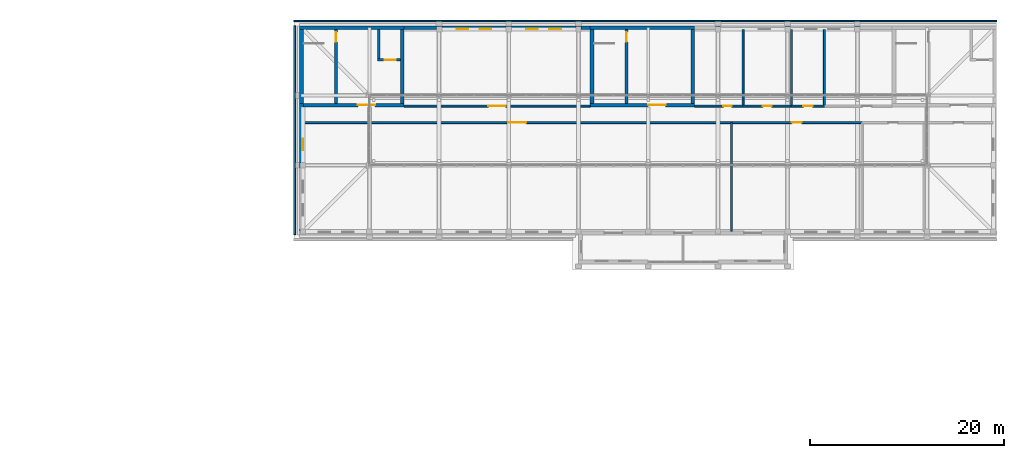
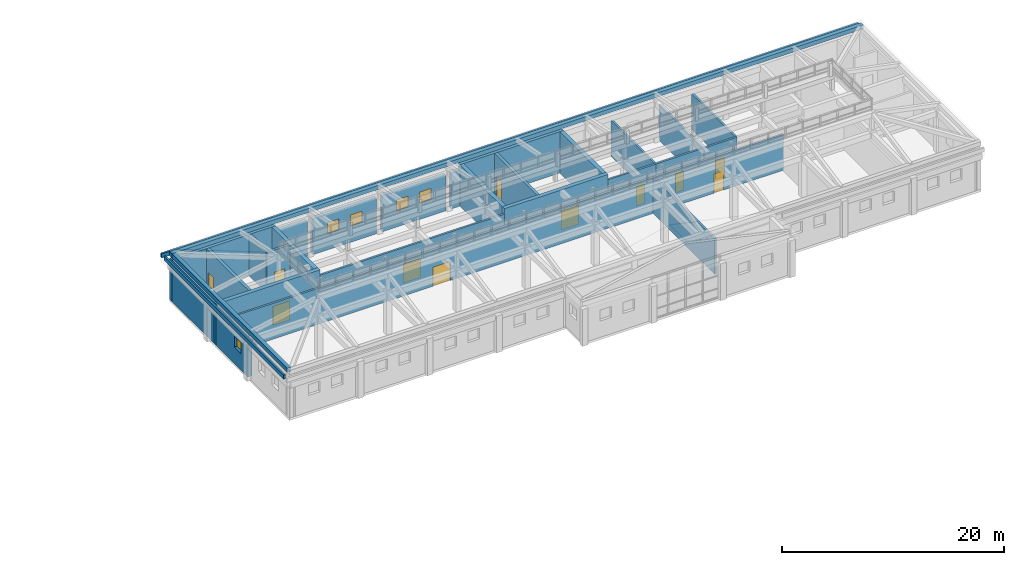
# One storey, part 43 of 48: 31 walls, 11 doors, 5 windows, 16 openings.
"""IFC4 building model written with IfcOpenShell, lengths in metres."""

from ifc_helpers import new_model, si_unit, direction, frame, frame_2d, origin, place, context, subcontext, project, spatial, rectangle, extrude, material, layer, layer_set, type_object, element, fill, save


model = new_model("IFC4")

# Units and contexts
model_context = context("Model", 3, precision=1e-05, world=origin(), true_north=direction((0.0, 1.0)))
body_context = subcontext(model_context, "Body", "Model", "MODEL_VIEW")
ifc_project = project(units=[si_unit("LENGTHUNIT", "METRE"), si_unit("AREAUNIT", "SQUARE_METRE"), si_unit("VOLUMEUNIT", "CUBIC_METRE"), si_unit("PLANEANGLEUNIT", "RADIAN"), si_unit("MASSUNIT", "GRAM", prefix="KILO")], contexts=[model_context])

# Site, building, storey
site_placement = place(None, origin())
site = spatial("IfcSite", under=ifc_project, at=site_placement, CompositionType="ELEMENT")
building_placement = place(site_placement, origin())
building = spatial("IfcBuilding", under=site, at=building_placement, Name="Alderwick Market Hall", CompositionType="ELEMENT")
storey_placement = place(building_placement, frame((0.0, 0.0, 14.39990234375)))
storey = spatial("IfcBuildingStorey", under=building, at=storey_placement, Name="L02", CompositionType="ELEMENT", Elevation=14.39990234375)

# Wall
ifc_material_1 = material(Name="Face brick", Category="masonry")
ifc_layer_1 = layer(ifc_material_1, 0.39990234375)
ifc_layer_set_1 = layer_set([ifc_layer_1], Name="Face brick")
wall_type_1 = type_object("IfcWallType", Name="F Brick Pier Wall 400", PredefinedType="SOLIDWALL", material=ifc_layer_set_1)
wall_1_placement = place(storey_placement, frame((169.199951171875, 151.0, 0.0), z_axis=(0.0, 0.0, 1.0), x_axis=(1.0, 0.0, 0.0)))
element("IfcWall", 1, at=wall_1_placement, inside=storey, type_object=wall_type_1, Name="F.wall.L02.fac.back.02", PredefinedType="SOLIDWALL", context=body_context, shape_type="SweptSolid", body=[
    extrude(rectangle(XDim=3.324951171875, YDim=0.39990234375, at=frame_2d((1.66259765625, 0.0))), origin(), (0.0, 0.0, 1.0), 3.9501953125),
])

# Wall, openings, windows
wall_2_placement = place(storey_placement, frame((173.074951171875, 151.0, 0.0), z_axis=(0.0, 0.0, 1.0), x_axis=(1.0, 0.0, 0.0)))
wall_2 = element("IfcWall", 2, at=wall_2_placement, inside=storey, type_object=wall_type_1, Name="F.wall.L02.fac.back.03", PredefinedType="SOLIDWALL", context=body_context, shape_type="SweptSolid", body=[
    extrude(rectangle(XDim=6.650146484375, YDim=0.39990234375, at=frame_2d((3.3251953125, 0.0))), origin(), (0.0, 0.0, 1.0), 3.9501953125),
])
opening_1_placement = place(wall_2_placement, frame((1.52490234375, 0.0, 1.800048828125)))
opening_1 = element("IfcOpeningElement", 3, at=opening_1_placement, cuts=wall_2, Name="Opening F-W050", PredefinedType="OPENING", context=body_context, shape_type="SweptSolid", body=[
    extrude(rectangle(XDim=1.199951171875, YDim=1.199951171875, at=frame_2d((0.60009765625, 0.60009765625))), frame((0.0, 0.2099609375, 0.0), z_axis=(0.0, -1.0, 0.0), x_axis=(1.0, 0.0, 0.0)), (0.0, 0.0, 1.0), 0.419921875),
])
opening_2_placement = place(wall_2_placement, frame((3.925048828125, 0.0, 1.800048828125)))
opening_2 = element("IfcOpeningElement", 4, at=opening_2_placement, cuts=wall_2, Name="Opening F-W051", PredefinedType="OPENING", context=body_context, shape_type="SweptSolid", body=[
    extrude(rectangle(XDim=1.199951171875, YDim=1.199951171875, at=frame_2d((0.60009765625, 0.60009765625))), frame((0.0, 0.2099609375, 0.0), z_axis=(0.0, -1.0, 0.0), x_axis=(1.0, 0.0, 0.0)), (0.0, 0.0, 1.0), 0.419921875),
])
ifc_material_2 = material(Name="Aluminium frame, double glazing", Category="aluminium")
window_type = type_object("IfcWindowType", Name="F Attic Window 1200x1200", PartitioningType="SINGLE_PANEL", PredefinedType="WINDOW", material=ifc_material_2)
window_1_placement = place(opening_1_placement, origin())
window_1 = element("IfcWindow", 5, at=window_1_placement, inside=storey, type_object=window_type, Name="F.win.L02.050", OverallHeight=1.199951171875, OverallWidth=1.199951171875, PartitioningType="SINGLE_PANEL", PredefinedType="WINDOW", context=body_context, shape_type="SweptSolid", body=[
    extrude(rectangle(XDim=1.199951171875, YDim=1.199951171875, at=frame_2d((0.60009765625, 0.60009765625))), frame((0.0, -0.090087890625, 0.0), z_axis=(0.0, -1.0, 0.0), x_axis=(1.0, 0.0, 0.0)), (0.0, 0.0, 1.0), 0.06005859375),
])
fill(opening_1, window_1)
window_2_placement = place(opening_2_placement, origin())
window_2 = element("IfcWindow", 6, at=window_2_placement, inside=storey, type_object=window_type, Name="F.win.L02.051", OverallHeight=1.199951171875, OverallWidth=1.199951171875, PartitioningType="SINGLE_PANEL", PredefinedType="WINDOW", context=body_context, shape_type="SweptSolid", body=[
    extrude(rectangle(XDim=1.199951171875, YDim=1.199951171875, at=frame_2d((0.60009765625, 0.60009765625))), frame((0.0, -0.090087890625, 0.0), z_axis=(0.0, -1.0, 0.0), x_axis=(1.0, 0.0, 0.0)), (0.0, 0.0, 1.0), 0.06005859375),
])
fill(opening_2, window_2)

wall_3_placement = place(storey_placement, frame((180.27490234375, 151.0, 0.0), z_axis=(0.0, 0.0, 1.0), x_axis=(1.0, 0.0, 0.0)))
wall_3 = element("IfcWall", 7, at=wall_3_placement, inside=storey, type_object=wall_type_1, Name="F.wall.L02.fac.back.04", PredefinedType="SOLIDWALL", context=body_context, shape_type="SweptSolid", body=[
    extrude(rectangle(XDim=6.650146484375, YDim=0.39990234375, at=frame_2d((3.3251953125, 0.0))), origin(), (0.0, 0.0, 1.0), 3.9501953125),
])
opening_3_placement = place(wall_3_placement, frame((1.52490234375, 0.0, 1.800048828125)))
opening_3 = element("IfcOpeningElement", 8, at=opening_3_placement, cuts=wall_3, Name="Opening F-W052", PredefinedType="OPENING", context=body_context, shape_type="SweptSolid", body=[
    extrude(rectangle(XDim=1.199951171875, YDim=1.199951171875, at=frame_2d((0.60009765625, 0.60009765625))), frame((0.0, 0.2099609375, 0.0), z_axis=(0.0, -1.0, 0.0), x_axis=(1.0, 0.0, 0.0)), (0.0, 0.0, 1.0), 0.419921875),
])
opening_4_placement = place(wall_3_placement, frame((3.925048828125, 0.0, 1.800048828125)))
opening_4 = element("IfcOpeningElement", 9, at=opening_4_placement, cuts=wall_3, Name="Opening F-W053", PredefinedType="OPENING", context=body_context, shape_type="SweptSolid", body=[
    extrude(rectangle(XDim=1.199951171875, YDim=1.199951171875, at=frame_2d((0.60009765625, 0.60009765625))), frame((0.0, 0.2099609375, 0.0), z_axis=(0.0, -1.0, 0.0), x_axis=(1.0, 0.0, 0.0)), (0.0, 0.0, 1.0), 0.419921875),
])
window_3_placement = place(opening_3_placement, origin())
window_3 = element("IfcWindow", 10, at=window_3_placement, inside=storey, type_object=window_type, Name="F.win.L02.052", OverallHeight=1.199951171875, OverallWidth=1.199951171875, PartitioningType="SINGLE_PANEL", PredefinedType="WINDOW", context=body_context, shape_type="SweptSolid", body=[
    extrude(rectangle(XDim=1.199951171875, YDim=1.199951171875, at=frame_2d((0.60009765625, 0.60009765625))), frame((0.0, -0.090087890625, 0.0), z_axis=(0.0, -1.0, 0.0), x_axis=(1.0, 0.0, 0.0)), (0.0, 0.0, 1.0), 0.06005859375),
])
fill(opening_3, window_3)
window_4_placement = place(opening_4_placement, origin())
window_4 = element("IfcWindow", 11, at=window_4_placement, inside=storey, type_object=window_type, Name="F.win.L02.053", OverallHeight=1.199951171875, OverallWidth=1.199951171875, PartitioningType="SINGLE_PANEL", PredefinedType="WINDOW", context=body_context, shape_type="SweptSolid", body=[
    extrude(rectangle(XDim=1.199951171875, YDim=1.199951171875, at=frame_2d((0.60009765625, 0.60009765625))), frame((0.0, -0.090087890625, 0.0), z_axis=(0.0, -1.0, 0.0), x_axis=(1.0, 0.0, 0.0)), (0.0, 0.0, 1.0), 0.06005859375),
])
fill(opening_4, window_4)

# Walls
wall_4_placement = place(storey_placement, frame((187.47509765625, 151.0, 0.0), z_axis=(0.0, 0.0, 1.0), x_axis=(1.0, 0.0, 0.0)))
element("IfcWall", 12, at=wall_4_placement, inside=storey, type_object=wall_type_1, Name="F.wall.L02.fac.back.05", PredefinedType="SOLIDWALL", context=body_context, shape_type="SweptSolid", body=[
    extrude(rectangle(XDim=0.9248046875, YDim=0.39990234375, at=frame_2d((0.46240234375, 0.0))), origin(), (0.0, 0.0, 1.0), 3.9501953125),
])
ifc_material_3 = material(Name="Concrete 5000 psi (f'c 35 MPa)", Category="concrete")
ifc_layer_2 = layer(ifc_material_3, 0.39990234375)
ifc_layer_set_2 = layer_set([ifc_layer_2], Name="Concrete 5000 psi (f'c 35 MPa)")
wall_type_2 = type_object("IfcWallType", Name="F Core Wall Concrete 5000 psi 400", PredefinedType="SHEAR", material=ifc_layer_set_2)
wall_5_placement = place(storey_placement, frame((158.60009765625, 143.199951171875, 0.0), z_axis=(0.0, 0.0, 1.0), x_axis=(0.0, 1.0, 0.0)))
element("IfcWall", 13, at=wall_5_placement, inside=storey, type_object=wall_type_2, Name="F.wall.L02.fac.west.04", PredefinedType="SHEAR", context=body_context, shape_type="SweptSolid", body=[
    extrude(rectangle(XDim=7.60009765625, YDim=0.39990234375, at=frame_2d((3.800048828125, 0.0))), origin(), (0.0, 0.0, 1.0), 4.550048828125),
])
for number, where, z_axis, x_axis, name in (
    (14, (158.39990234375, 151.0, 0.0), (0.0, 0.0, 1.0), (1.0, 0.0, 0.0), "F.wall.L02.fac.back.01"),
    (15, (188.39990234375, 151.0, 0.0), (0.0, 0.0, 1.0), (1.0, 0.0, 0.0), "F.wall.L02.fac.back.06"),
):
    element("IfcWall", number, at=place(storey_placement, frame(where, z_axis=z_axis, x_axis=x_axis)), inside=storey, type_object=wall_type_2, Name=name, PredefinedType="SHEAR", context=body_context, shape_type="SweptSolid", body=[
        extrude(rectangle(XDim=10.800048828125, YDim=0.39990234375, at=frame_2d((5.39990234375, 0.0))), origin(), (0.0, 0.0, 1.0), 4.550048828125),
    ])

# Wall, opening, door
wall_6_placement = place(storey_placement, frame((158.39990234375, 143.0, 0.0), z_axis=(0.0, 0.0, 1.0), x_axis=(1.0, 0.0, 0.0)))
wall_6 = element("IfcWall", 16, at=wall_6_placement, inside=storey, type_object=wall_type_2, Name="F.wall.L02.core.A.front.01", PredefinedType="SHEAR", context=body_context, shape_type="SweptSolid", body=[
    extrude(rectangle(XDim=10.800048828125, YDim=0.39990234375, at=frame_2d((5.39990234375, 0.0))), origin(), (0.0, 0.0, 1.0), 4.550048828125),
])
opening_5_placement = place(wall_6_placement, frame((6.0, 0.0, 0.0)))
opening_5 = element("IfcOpeningElement", 17, at=opening_5_placement, cuts=wall_6, Name="Opening F-D078", PredefinedType="OPENING", context=body_context, shape_type="SweptSolid", body=[
    extrude(rectangle(XDim=1.800048828125, YDim=2.10009765625, at=frame_2d((0.89990234375, 1.050048828125))), frame((0.0, 0.2099609375, 0.0), z_axis=(0.0, -1.0, 0.0), x_axis=(1.0, 0.0, 0.0)), (0.0, 0.0, 1.0), 0.419921875),
])
ifc_material_4 = material(Name="Steel, insulated", Category="steel")
door_type_1 = type_object("IfcDoorType", Name="F Fire Door Pair FD90 1800x2100", OperationType="NOTDEFINED", PredefinedType="DOOR", material=ifc_material_4)
door_1_placement = place(opening_5_placement, origin())
door_1 = element("IfcDoor", 18, at=door_1_placement, inside=storey, type_object=door_type_1, Name="F.door.L02.078", OperationType="NOTDEFINED", OverallHeight=2.10009765625, OverallWidth=1.800048828125, PredefinedType="DOOR", context=body_context, shape_type="SweptSolid", body=[
    extrude(rectangle(XDim=1.800048828125, YDim=2.10009765625, at=frame_2d((0.89990234375, 1.050048828125))), frame((0.0, 0.02490234375, 0.0), z_axis=(0.0, -1.0, 0.0), x_axis=(1.0, 0.0, 0.0)), (0.0, 0.0, 1.0), 0.050048828125),
])
fill(opening_5, door_1)

# Wall
wall_7_placement = place(storey_placement, frame((169.0, 143.199951171875, 0.0), z_axis=(0.0, 0.0, 1.0), x_axis=(0.0, 1.0, 0.0)))
element("IfcWall", 19, at=wall_7_placement, inside=storey, type_object=wall_type_2, Name="F.wall.L02.core.A.east.01", PredefinedType="SHEAR", context=body_context, shape_type="SweptSolid", body=[
    extrude(rectangle(XDim=7.60009765625, YDim=0.39990234375, at=frame_2d((3.800048828125, 0.0))), origin(), (0.0, 0.0, 1.0), 4.550048828125),
])

# Wall, opening, door
wall_8_placement = place(storey_placement, frame((188.39990234375, 143.0, 0.0), z_axis=(0.0, 0.0, 1.0), x_axis=(1.0, 0.0, 0.0)))
wall_8 = element("IfcWall", 20, at=wall_8_placement, inside=storey, type_object=wall_type_2, Name="F.wall.L02.core.B.front.01", PredefinedType="SHEAR", context=body_context, shape_type="SweptSolid", body=[
    extrude(rectangle(XDim=10.800048828125, YDim=0.39990234375, at=frame_2d((5.39990234375, 0.0))), origin(), (0.0, 0.0, 1.0), 4.550048828125),
])
opening_6_placement = place(wall_8_placement, frame((6.0, 0.0, 0.0)))
opening_6 = element("IfcOpeningElement", 21, at=opening_6_placement, cuts=wall_8, Name="Opening F-D081", PredefinedType="OPENING", context=body_context, shape_type="SweptSolid", body=[
    extrude(rectangle(XDim=1.800048828125, YDim=2.10009765625, at=frame_2d((0.89990234375, 1.050048828125))), frame((0.0, 0.2099609375, 0.0), z_axis=(0.0, -1.0, 0.0), x_axis=(1.0, 0.0, 0.0)), (0.0, 0.0, 1.0), 0.419921875),
])
door_2_placement = place(opening_6_placement, origin())
door_2 = element("IfcDoor", 22, at=door_2_placement, inside=storey, type_object=door_type_1, Name="F.door.L02.081", OperationType="NOTDEFINED", OverallHeight=2.10009765625, OverallWidth=1.800048828125, PredefinedType="DOOR", context=body_context, shape_type="SweptSolid", body=[
    extrude(rectangle(XDim=1.800048828125, YDim=2.10009765625, at=frame_2d((0.89990234375, 1.050048828125))), frame((0.0, 0.02490234375, 0.0), z_axis=(0.0, -1.0, 0.0), x_axis=(1.0, 0.0, 0.0)), (0.0, 0.0, 1.0), 0.050048828125),
])
fill(opening_6, door_2)

# Walls
for number, where, z_axis, x_axis, name in (
    (23, (188.60009765625, 143.199951171875, 0.0), (0.0, 0.0, 1.0), (0.0, 1.0, 0.0), "F.wall.L02.core.B.west.01"),
    (24, (199.0, 143.199951171875, 0.0), (0.0, 0.0, 1.0), (0.0, 1.0, 0.0), "F.wall.L02.core.B.east.01"),
):
    element("IfcWall", number, at=place(storey_placement, frame(where, z_axis=z_axis, x_axis=x_axis)), inside=storey, type_object=wall_type_2, Name=name, PredefinedType="SHEAR", context=body_context, shape_type="SweptSolid", body=[
        extrude(rectangle(XDim=7.60009765625, YDim=0.39990234375, at=frame_2d((3.800048828125, 0.0))), origin(), (0.0, 0.0, 1.0), 4.550048828125),
    ])
ifc_material_5 = material(Name="Cast stone 5000 psi", Category="masonry")
ifc_layer_3 = layer(ifc_material_5, 0.199951171875)
ifc_layer_set_3 = layer_set([ifc_layer_3], Name="Cast stone 5000 psi")
wall_type_3 = type_object("IfcWallType", Name="F Cornice Fascia Cast Stone 200x450", PredefinedType="SOLIDWALL", material=ifc_layer_set_3)
wall_9_placement = place(storey_placement, frame((157.800048828125, 151.699951171875, 4.5), z_axis=(0.0, 0.0, 1.0), x_axis=(1.0, 0.0, 0.0)))
element("IfcWall", 25, at=wall_9_placement, inside=storey, type_object=wall_type_3, Name="F.wall.L02.fascia.back.01", PredefinedType="SOLIDWALL", context=body_context, shape_type="SweptSolid", body=[
    extrude(rectangle(XDim=72.599853515625, YDim=0.199951171875, at=frame_2d((36.2998046875, 0.0))), origin(), (0.0, 0.0, 1.0), 0.4501953125),
])
wall_10_placement = place(storey_placement, frame((157.89990234375, 129.60009765625, 4.5), z_axis=(0.0, 0.0, 1.0), x_axis=(0.0, 1.0, 0.0)))
element("IfcWall", 26, at=wall_10_placement, inside=storey, type_object=wall_type_3, Name="F.wall.L02.fascia.west.01", PredefinedType="SOLIDWALL", context=body_context, shape_type="SweptSolid", body=[
    extrude(rectangle(XDim=21.599853515625, YDim=0.199951171875, at=frame_2d((10.7998046875, 0.0))), origin(), (0.0, 0.0, 1.0), 0.4501953125),
])
ifc_layer_4 = layer(ifc_material_3, 0.39990234375)
ifc_layer_set_4 = layer_set([ifc_layer_4], Name="Concrete 5000 psi (f'c 35 MPa)")
wall_type_4 = type_object("IfcWallType", Name="F Eaves Kerb Concrete 5000 psi 400", PredefinedType="SOLIDWALL", material=ifc_layer_set_4)
wall_11_placement = place(storey_placement, frame((158.39990234375, 151.0, 4.800048828125), z_axis=(0.0, 0.0, 1.0), x_axis=(1.0, 0.0, 0.0)))
element("IfcWall", 27, at=wall_11_placement, inside=storey, type_object=wall_type_4, Name="F.wall.L02.kerb.back.01", PredefinedType="SOLIDWALL", context=body_context, shape_type="SweptSolid", body=[
    extrude(rectangle(XDim=72.0, YDim=0.39990234375, at=frame_2d((36.0, 0.0))), origin(), (0.0, 0.0, 1.0), 0.449951171875),
])
wall_12_placement = place(storey_placement, frame((158.60009765625, 130.0, 4.800048828125), z_axis=(0.0, 0.0, 1.0), x_axis=(0.0, 1.0, 0.0)))
element("IfcWall", 28, at=wall_12_placement, inside=storey, type_object=wall_type_4, Name="F.wall.L02.kerb.west.01", PredefinedType="SOLIDWALL", context=body_context, shape_type="SweptSolid", body=[
    extrude(rectangle(XDim=20.800048828125, YDim=0.39990234375, at=frame_2d((10.39990234375, 0.0))), origin(), (0.0, 0.0, 1.0), 0.449951171875),
])

# Wall, opening, window
ifc_layer_5 = layer(ifc_material_3, 0.39990234375)
ifc_layer_set_5 = layer_set([ifc_layer_5], Name="Concrete 5000 psi (f'c 35 MPa)")
wall_type_5 = type_object("IfcWallType", Name="F End Shear Wall Concrete 5000 psi 400", PredefinedType="SHEAR", material=ifc_layer_set_5)
wall_13_placement = place(storey_placement, frame((158.60009765625, 137.074951171875, 0.0), z_axis=(0.0, 0.0, 1.0), x_axis=(0.0, 1.0, 0.0)))
wall_13 = element("IfcWall", 29, at=wall_13_placement, inside=storey, type_object=wall_type_5, Name="F.wall.L02.fac.west.03", PredefinedType="SHEAR", context=body_context, shape_type="SweptSolid", body=[
    extrude(rectangle(XDim=6.125, YDim=0.39990234375, at=frame_2d((3.0625, 0.0))), origin(), (0.0, 0.0, 1.0), 3.9501953125),
])
opening_7_placement = place(wall_13_placement, frame((1.262451171875, 0.0, 1.800048828125)))
opening_7 = element("IfcOpeningElement", 30, at=opening_7_placement, cuts=wall_13, Name="Opening F-W049", PredefinedType="OPENING", context=body_context, shape_type="SweptSolid", body=[
    extrude(rectangle(XDim=1.199951171875, YDim=1.199951171875, at=frame_2d((0.60009765625, 0.60009765625))), frame((0.0, 0.2099609375, 0.0), z_axis=(0.0, -1.0, 0.0), x_axis=(1.0, 0.0, 0.0)), (0.0, 0.0, 1.0), 0.419921875),
])
window_5_placement = place(opening_7_placement, origin())
window_5 = element("IfcWindow", 31, at=window_5_placement, inside=storey, type_object=window_type, Name="F.win.L02.049", OverallHeight=1.199951171875, OverallWidth=1.199951171875, PartitioningType="SINGLE_PANEL", PredefinedType="WINDOW", context=body_context, shape_type="SweptSolid", body=[
    extrude(rectangle(XDim=1.199951171875, YDim=1.199951171875, at=frame_2d((0.60009765625, 0.60009765625))), frame((0.0, -0.090087890625, 0.0), z_axis=(0.0, -1.0, 0.0), x_axis=(1.0, 0.0, 0.0)), (0.0, 0.0, 1.0), 0.06005859375),
])
fill(opening_7, window_5)

# Wall, opening, door
ifc_material_6 = material(Name="Gypsum board on steel studs", Category="steel")
ifc_layer_6 = layer(ifc_material_6, 0.199951171875)
ifc_layer_set_6 = layer_set([ifc_layer_6], Name="Gypsum board on steel studs")
wall_type_6 = type_object("IfcWallType", Name="F Fire Partition Wall 200", PredefinedType="PARTITIONING", material=ifc_layer_set_6)
wall_14_placement = place(storey_placement, frame((169.199951171875, 142.89990234375, 0.0), z_axis=(0.0, 0.0, 1.0), x_axis=(1.0, 0.0, 0.0)))
wall_14 = element("IfcWall", 32, at=wall_14_placement, inside=storey, type_object=wall_type_6, Name="F.wall.L02.part.005", PredefinedType="PARTITIONING", context=body_context, shape_type="SweptSolid", body=[
    extrude(rectangle(XDim=19.199951171875, YDim=0.199951171875, at=frame_2d((9.60009765625, 0.0))), origin(), (0.0, 0.0, 1.0), 3.9501953125),
])
opening_8_placement = place(wall_14_placement, frame((8.699951171875, 0.0, 0.0)))
opening_8 = element("IfcOpeningElement", 33, at=opening_8_placement, cuts=wall_14, Name="Opening F-D089", PredefinedType="OPENING", context=body_context, shape_type="SweptSolid", body=[
    extrude(rectangle(XDim=1.800048828125, YDim=2.10009765625, at=frame_2d((0.89990234375, 1.050048828125))), frame((0.0, 0.10986328125, 0.0), z_axis=(0.0, -1.0, 0.0), x_axis=(1.0, 0.0, 0.0)), (0.0, 0.0, 1.0), 0.219970703125),
])
door_type_2 = type_object("IfcDoorType", Name="F Fire Door Pair FD60 1800x2100", OperationType="NOTDEFINED", PredefinedType="DOOR", material=ifc_material_4)
door_3_placement = place(opening_8_placement, origin())
door_3 = element("IfcDoor", 34, at=door_3_placement, inside=storey, type_object=door_type_2, Name="F.door.L02.089", OperationType="NOTDEFINED", OverallHeight=2.10009765625, OverallWidth=1.800048828125, PredefinedType="DOOR", context=body_context, shape_type="SweptSolid", body=[
    extrude(rectangle(XDim=1.800048828125, YDim=2.10009765625, at=frame_2d((0.89990234375, 1.050048828125))), frame((0.0, 0.02490234375, 0.0), z_axis=(0.0, -1.0, 0.0), x_axis=(1.0, 0.0, 0.0)), (0.0, 0.0, 1.0), 0.050048828125),
])
fill(opening_8, door_3)

# Walls
wall_15_placement = place(storey_placement, frame((212.60009765625, 142.89990234375, 0.0), z_axis=(0.0, 0.0, 1.0), x_axis=(0.0, 1.0, 0.0)))
element("IfcWall", 35, at=wall_15_placement, inside=storey, type_object=wall_type_6, Name="F.wall.L02.part.013", PredefinedType="PARTITIONING", context=body_context, shape_type="SweptSolid", body=[
    extrude(rectangle(XDim=7.900146484375, YDim=0.199951171875, at=frame_2d((3.9501953125, 0.0))), origin(), (0.0, 0.0, 1.0), 3.9501953125),
])
ifc_layer_7 = layer(ifc_material_3, 0.25)
ifc_layer_set_7 = layer_set([ifc_layer_7], Name="Concrete 5000 psi (f'c 35 MPa)")
wall_type_7 = type_object("IfcWallType", Name="F Lift Shaft Wall Concrete 5000 psi 250", PredefinedType="SHEAR", material=ifc_layer_set_7)
wall_16_placement = place(storey_placement, frame((166.574951171875, 147.550048828125, 0.0), z_axis=(0.0, 0.0, 1.0), x_axis=(0.0, 1.0, 0.0)))
element("IfcWall", 36, at=wall_16_placement, inside=storey, type_object=wall_type_7, Name="F.wall.L02.core.A.shaftw.01", PredefinedType="SHEAR", context=body_context, shape_type="SweptSolid", body=[
    extrude(rectangle(XDim=3.25, YDim=0.25, at=frame_2d((1.625, 0.0))), origin(), (0.0, 0.0, 1.0), 4.550048828125),
])

# Wall, opening, door
wall_17_placement = place(storey_placement, frame((166.449951171875, 147.675048828125, 0.0), z_axis=(0.0, 0.0, 1.0), x_axis=(1.0, 0.0, 0.0)))
wall_17 = element("IfcWall", 37, at=wall_17_placement, inside=storey, type_object=wall_type_7, Name="F.wall.L02.core.A.shaftf.01", PredefinedType="SHEAR", context=body_context, shape_type="SweptSolid", body=[
    extrude(rectangle(XDim=2.35009765625, YDim=0.25, at=frame_2d((1.175048828125, 0.0))), origin(), (0.0, 0.0, 1.0), 4.550048828125),
])
opening_9_placement = place(wall_17_placement, frame((0.75, 0.0, 0.0)))
opening_9 = element("IfcOpeningElement", 38, at=opening_9_placement, cuts=wall_17, Name="Opening F-D079", PredefinedType="OPENING", context=body_context, shape_type="SweptSolid", body=[
    extrude(rectangle(XDim=1.10009765625, YDim=2.10009765625, at=frame_2d((0.550048828125, 1.050048828125))), frame((0.0, 0.135009765625, 0.0), z_axis=(0.0, -1.0, 0.0), x_axis=(1.0, 0.0, 0.0)), (0.0, 0.0, 1.0), 0.27001953125),
])
ifc_material_7 = material(Name="Stainless steel", Category="steel")
door_type_3 = type_object("IfcDoorType", Name="F Lift Landing Door 1100x2100", OperationType="SLIDING_TO_LEFT", PredefinedType="DOOR", material=ifc_material_7)
door_4_placement = place(opening_9_placement, origin())
door_4 = element("IfcDoor", 39, at=door_4_placement, inside=storey, type_object=door_type_3, Name="F.door.L02.079", OperationType="SLIDING_TO_LEFT", OverallHeight=2.10009765625, OverallWidth=1.10009765625, PredefinedType="DOOR", context=body_context, shape_type="SweptSolid", body=[
    extrude(rectangle(XDim=1.10009765625, YDim=2.10009765625, at=frame_2d((0.550048828125, 1.050048828125))), frame((0.0, 0.02490234375, 0.0), z_axis=(0.0, -1.0, 0.0), x_axis=(1.0, 0.0, 0.0)), (0.0, 0.0, 1.0), 0.050048828125),
])
fill(opening_9, door_4)

ifc_layer_8 = layer(ifc_material_6, 0.199951171875)
ifc_layer_set_8 = layer_set([ifc_layer_8], Name="Gypsum board on steel studs")
wall_type_8 = type_object("IfcWallType", Name="F Partition Wall 200", PredefinedType="PARTITIONING", material=ifc_layer_set_8)
wall_18_placement = place(storey_placement, frame((158.800048828125, 141.199951171875, 0.0), z_axis=(0.0, 0.0, 1.0), x_axis=(1.0, 0.0, 0.0)))
wall_18 = element("IfcWall", 40, at=wall_18_placement, inside=storey, type_object=wall_type_8, Name="F.wall.L02.part.001", PredefinedType="PARTITIONING", context=body_context, shape_type="SweptSolid", body=[
    extrude(rectangle(XDim=44.199951171875, YDim=0.199951171875, at=frame_2d((22.10009765625, 0.0))), origin(), (0.0, 0.0, 1.0), 3.9501953125),
])
opening_10_placement = place(wall_18_placement, frame((21.199951171875, 0.0, 0.0)))
opening_10 = element("IfcOpeningElement", 41, at=opening_10_placement, cuts=wall_18, Name="Opening F-D085", PredefinedType="OPENING", context=body_context, shape_type="SweptSolid", body=[
    extrude(rectangle(XDim=1.800048828125, YDim=2.10009765625, at=frame_2d((0.89990234375, 1.050048828125))), frame((0.0, 0.10986328125, 0.0), z_axis=(0.0, -1.0, 0.0), x_axis=(1.0, 0.0, 0.0)), (0.0, 0.0, 1.0), 0.219970703125),
])
ifc_material_8 = material(Name="Timber, solid core", Category="wood")
door_type_4 = type_object("IfcDoorType", Name="F Door Pair 1800x2100", OperationType="NOTDEFINED", PredefinedType="DOOR", material=ifc_material_8)
door_5_placement = place(opening_10_placement, origin())
door_5 = element("IfcDoor", 42, at=door_5_placement, inside=storey, type_object=door_type_4, Name="F.door.L02.085", OperationType="NOTDEFINED", OverallHeight=2.10009765625, OverallWidth=1.800048828125, PredefinedType="DOOR", context=body_context, shape_type="SweptSolid", body=[
    extrude(rectangle(XDim=1.800048828125, YDim=2.10009765625, at=frame_2d((0.89990234375, 1.050048828125))), frame((0.0, 0.02490234375, 0.0), z_axis=(0.0, -1.0, 0.0), x_axis=(1.0, 0.0, 0.0)), (0.0, 0.0, 1.0), 0.050048828125),
])
fill(opening_10, door_5)

wall_19_placement = place(storey_placement, frame((203.0, 141.199951171875, 0.0), z_axis=(0.0, 0.0, 1.0), x_axis=(1.0, 0.0, 0.0)))
wall_19 = element("IfcWall", 43, at=wall_19_placement, inside=storey, type_object=wall_type_8, Name="F.wall.L02.part.002", PredefinedType="PARTITIONING", context=body_context, shape_type="SweptSolid", body=[
    extrude(rectangle(XDim=13.5, YDim=0.199951171875, at=frame_2d((6.75, 0.0))), origin(), (0.0, 0.0, 1.0), 3.9501953125),
])
opening_11_placement = place(wall_19_placement, frame((6.25, 0.0, 0.0)))
opening_11 = element("IfcOpeningElement", 44, at=opening_11_placement, cuts=wall_19, Name="Opening F-D086", PredefinedType="OPENING", context=body_context, shape_type="SweptSolid", body=[
    extrude(rectangle(XDim=1.0, YDim=2.10009765625, at=frame_2d((0.5, 1.050048828125))), frame((0.0, 0.10986328125, 0.0), z_axis=(0.0, -1.0, 0.0), x_axis=(1.0, 0.0, 0.0)), (0.0, 0.0, 1.0), 0.219970703125),
])
door_type_5 = type_object("IfcDoorType", Name="F Door 1000x2100", OperationType="NOTDEFINED", PredefinedType="DOOR", material=ifc_material_8)
door_6_placement = place(opening_11_placement, origin())
door_6 = element("IfcDoor", 45, at=door_6_placement, inside=storey, type_object=door_type_5, Name="F.door.L02.086", OperationType="NOTDEFINED", OverallHeight=2.10009765625, OverallWidth=1.0, PredefinedType="DOOR", context=body_context, shape_type="SweptSolid", body=[
    extrude(rectangle(XDim=1.0, YDim=2.10009765625, at=frame_2d((0.5, 1.050048828125))), frame((0.0, 0.02490234375, 0.0), z_axis=(0.0, -1.0, 0.0), x_axis=(1.0, 0.0, 0.0)), (0.0, 0.0, 1.0), 0.050048828125),
])
fill(opening_11, door_6)

wall_20_placement = place(storey_placement, frame((199.199951171875, 142.89990234375, 0.0), z_axis=(0.0, 0.0, 1.0), x_axis=(1.0, 0.0, 0.0)))
wall_20 = element("IfcWall", 46, at=wall_20_placement, inside=storey, type_object=wall_type_8, Name="F.wall.L02.part.006", PredefinedType="PARTITIONING", context=body_context, shape_type="SweptSolid", body=[
    extrude(rectangle(XDim=5.0, YDim=0.199951171875, at=frame_2d((2.5, 0.0))), origin(), (0.0, 0.0, 1.0), 3.9501953125),
])
opening_12_placement = place(wall_20_placement, frame((2.949951171875, 0.0, 0.0)))
opening_12 = element("IfcOpeningElement", 47, at=opening_12_placement, cuts=wall_20, Name="Opening F-D090", PredefinedType="OPENING", context=body_context, shape_type="SweptSolid", body=[
    extrude(rectangle(XDim=0.89990234375, YDim=2.10009765625, at=frame_2d((0.449951171875, 1.050048828125))), frame((0.0, 0.10986328125, 0.0), z_axis=(0.0, -1.0, 0.0), x_axis=(1.0, 0.0, 0.0)), (0.0, 0.0, 1.0), 0.219970703125),
])
door_type_6 = type_object("IfcDoorType", Name="F Door 900x2100", OperationType="NOTDEFINED", PredefinedType="DOOR", material=ifc_material_8)
door_7_placement = place(opening_12_placement, origin())
door_7 = element("IfcDoor", 48, at=door_7_placement, inside=storey, type_object=door_type_6, Name="F.door.L02.090", OperationType="NOTDEFINED", OverallHeight=2.10009765625, OverallWidth=0.89990234375, PredefinedType="DOOR", context=body_context, shape_type="SweptSolid", body=[
    extrude(rectangle(XDim=0.89990234375, YDim=2.10009765625, at=frame_2d((0.449951171875, 1.050048828125))), frame((0.0, 0.02490234375, 0.0), z_axis=(0.0, -1.0, 0.0), x_axis=(1.0, 0.0, 0.0)), (0.0, 0.0, 1.0), 0.050048828125),
])
fill(opening_12, door_7)

wall_21_placement = place(storey_placement, frame((204.199951171875, 142.89990234375, 0.0), z_axis=(0.0, 0.0, 1.0), x_axis=(1.0, 0.0, 0.0)))
wall_21 = element("IfcWall", 49, at=wall_21_placement, inside=storey, type_object=wall_type_8, Name="F.wall.L02.part.007", PredefinedType="PARTITIONING", context=body_context, shape_type="SweptSolid", body=[
    extrude(rectangle(XDim=5.0, YDim=0.199951171875, at=frame_2d((2.5, 0.0))), origin(), (0.0, 0.0, 1.0), 3.9501953125),
])
opening_13_placement = place(wall_21_placement, frame((2.050048828125, 0.0, 0.0)))
opening_13 = element("IfcOpeningElement", 50, at=opening_13_placement, cuts=wall_21, Name="Opening F-D091", PredefinedType="OPENING", context=body_context, shape_type="SweptSolid", body=[
    extrude(rectangle(XDim=0.89990234375, YDim=2.10009765625, at=frame_2d((0.449951171875, 1.050048828125))), frame((0.0, 0.10986328125, 0.0), z_axis=(0.0, -1.0, 0.0), x_axis=(1.0, 0.0, 0.0)), (0.0, 0.0, 1.0), 0.219970703125),
])
door_8_placement = place(opening_13_placement, origin())
door_8 = element("IfcDoor", 51, at=door_8_placement, inside=storey, type_object=door_type_6, Name="F.door.L02.091", OperationType="NOTDEFINED", OverallHeight=2.10009765625, OverallWidth=0.89990234375, PredefinedType="DOOR", context=body_context, shape_type="SweptSolid", body=[
    extrude(rectangle(XDim=0.89990234375, YDim=2.10009765625, at=frame_2d((0.449951171875, 1.050048828125))), frame((0.0, 0.02490234375, 0.0), z_axis=(0.0, -1.0, 0.0), x_axis=(1.0, 0.0, 0.0)), (0.0, 0.0, 1.0), 0.050048828125),
])
fill(opening_13, door_8)

wall_22_placement = place(storey_placement, frame((209.199951171875, 142.89990234375, 0.0), z_axis=(0.0, 0.0, 1.0), x_axis=(1.0, 0.0, 0.0)))
wall_22 = element("IfcWall", 52, at=wall_22_placement, inside=storey, type_object=wall_type_8, Name="F.wall.L02.part.008", PredefinedType="PARTITIONING", context=body_context, shape_type="SweptSolid", body=[
    extrude(rectangle(XDim=3.400146484375, YDim=0.199951171875, at=frame_2d((1.7001953125, 0.0))), origin(), (0.0, 0.0, 1.0), 3.9501953125),
])
opening_14_placement = place(wall_22_placement, frame((1.199951171875, 0.0, 0.0)))
opening_14 = element("IfcOpeningElement", 53, at=opening_14_placement, cuts=wall_22, Name="Opening F-D092", PredefinedType="OPENING", context=body_context, shape_type="SweptSolid", body=[
    extrude(rectangle(XDim=1.0, YDim=2.10009765625, at=frame_2d((0.5, 1.050048828125))), frame((0.0, 0.10986328125, 0.0), z_axis=(0.0, -1.0, 0.0), x_axis=(1.0, 0.0, 0.0)), (0.0, 0.0, 1.0), 0.219970703125),
])
door_9_placement = place(opening_14_placement, origin())
door_9 = element("IfcDoor", 54, at=door_9_placement, inside=storey, type_object=door_type_5, Name="F.door.L02.092", OperationType="NOTDEFINED", OverallHeight=2.10009765625, OverallWidth=1.0, PredefinedType="DOOR", context=body_context, shape_type="SweptSolid", body=[
    extrude(rectangle(XDim=1.0, YDim=2.10009765625, at=frame_2d((0.5, 1.050048828125))), frame((0.0, 0.02490234375, 0.0), z_axis=(0.0, -1.0, 0.0), x_axis=(1.0, 0.0, 0.0)), (0.0, 0.0, 1.0), 0.050048828125),
])
fill(opening_14, door_9)

# Walls
wall_23_placement = place(storey_placement, frame((203.0, 130.0, 0.0), z_axis=(0.0, 0.0, 1.0), x_axis=(0.0, 1.0, 0.0)))
element("IfcWall", 55, at=wall_23_placement, inside=storey, type_object=wall_type_8, Name="F.wall.L02.part.010", PredefinedType="PARTITIONING", context=body_context, shape_type="SweptSolid", body=[
    extrude(rectangle(XDim=11.199951171875, YDim=0.199951171875, at=frame_2d((5.60009765625, 0.0))), origin(), (0.0, 0.0, 1.0), 3.9501953125),
])
for number, where, z_axis, x_axis, name in (
    (56, (204.199951171875, 142.89990234375, 0.0), (0.0, 0.0, 1.0), (0.0, 1.0, 0.0), "F.wall.L02.part.011"),
    (57, (209.199951171875, 142.89990234375, 0.0), (0.0, 0.0, 1.0), (0.0, 1.0, 0.0), "F.wall.L02.part.012"),
):
    element("IfcWall", number, at=place(storey_placement, frame(where, z_axis=z_axis, x_axis=x_axis)), inside=storey, type_object=wall_type_8, Name=name, PredefinedType="PARTITIONING", context=body_context, shape_type="SweptSolid", body=[
        extrude(rectangle(XDim=7.900146484375, YDim=0.199951171875, at=frame_2d((3.9501953125, 0.0))), origin(), (0.0, 0.0, 1.0), 3.9501953125),
    ])

# Wall, opening, door
ifc_layer_9 = layer(ifc_material_3, 0.300048828125)
ifc_layer_set_9 = layer_set([ifc_layer_9], Name="Concrete 5000 psi (f'c 35 MPa)")
wall_type_9 = type_object("IfcWallType", Name="F Stair Divider Wall Concrete 5000 psi 300", PredefinedType="SHEAR", material=ifc_layer_set_9)
wall_24_placement = place(storey_placement, frame((162.14990234375, 143.199951171875, 0.0), z_axis=(0.0, 0.0, 1.0), x_axis=(0.0, 1.0, 0.0)))
wall_24 = element("IfcWall", 58, at=wall_24_placement, inside=storey, type_object=wall_type_9, Name="F.wall.L02.core.A.div.01", PredefinedType="SHEAR", context=body_context, shape_type="SweptSolid", body=[
    extrude(rectangle(XDim=7.60009765625, YDim=0.300048828125, at=frame_2d((3.800048828125, 0.0))), origin(), (0.0, 0.0, 1.0), 4.550048828125),
])
opening_15_placement = place(wall_24_placement, frame((6.35009765625, 0.0, 0.0)))
opening_15 = element("IfcOpeningElement", 59, at=opening_15_placement, cuts=wall_24, Name="Opening F-D077", PredefinedType="OPENING", context=body_context, shape_type="SweptSolid", body=[
    extrude(rectangle(XDim=1.0, YDim=2.10009765625, at=frame_2d((0.5, 1.050048828125))), frame((0.0, 0.159912109375, 0.0), z_axis=(0.0, -1.0, 0.0), x_axis=(1.0, 0.0, 0.0)), (0.0, 0.0, 1.0), 0.320068359375),
])
door_type_7 = type_object("IfcDoorType", Name="F Fire Door FD90 1000x2100", OperationType="NOTDEFINED", PredefinedType="DOOR", material=ifc_material_4)
door_10_placement = place(opening_15_placement, origin())
door_10 = element("IfcDoor", 60, at=door_10_placement, inside=storey, type_object=door_type_7, Name="F.door.L02.077", OperationType="NOTDEFINED", OverallHeight=2.10009765625, OverallWidth=1.0, PredefinedType="DOOR", context=body_context, shape_type="SweptSolid", body=[
    extrude(rectangle(XDim=1.0, YDim=2.10009765625, at=frame_2d((0.5, 1.050048828125))), frame((0.0, 0.02490234375, 0.0), z_axis=(0.0, -1.0, 0.0), x_axis=(1.0, 0.0, 0.0)), (0.0, 0.0, 1.0), 0.050048828125),
])
fill(opening_15, door_10)

wall_25_placement = place(storey_placement, frame((192.14990234375, 143.199951171875, 0.0), z_axis=(0.0, 0.0, 1.0), x_axis=(0.0, 1.0, 0.0)))
wall_25 = element("IfcWall", 61, at=wall_25_placement, inside=storey, type_object=wall_type_9, Name="F.wall.L02.core.B.div.01", PredefinedType="SHEAR", context=body_context, shape_type="SweptSolid", body=[
    extrude(rectangle(XDim=7.60009765625, YDim=0.300048828125, at=frame_2d((3.800048828125, 0.0))), origin(), (0.0, 0.0, 1.0), 4.550048828125),
])
opening_16_placement = place(wall_25_placement, frame((6.35009765625, 0.0, 0.0)))
opening_16 = element("IfcOpeningElement", 62, at=opening_16_placement, cuts=wall_25, Name="Opening F-D080", PredefinedType="OPENING", context=body_context, shape_type="SweptSolid", body=[
    extrude(rectangle(XDim=1.0, YDim=2.10009765625, at=frame_2d((0.5, 1.050048828125))), frame((0.0, 0.159912109375, 0.0), z_axis=(0.0, -1.0, 0.0), x_axis=(1.0, 0.0, 0.0)), (0.0, 0.0, 1.0), 0.320068359375),
])
door_11_placement = place(opening_16_placement, origin())
door_11 = element("IfcDoor", 63, at=door_11_placement, inside=storey, type_object=door_type_7, Name="F.door.L02.080", OperationType="NOTDEFINED", OverallHeight=2.10009765625, OverallWidth=1.0, PredefinedType="DOOR", context=body_context, shape_type="SweptSolid", body=[
    extrude(rectangle(XDim=1.0, YDim=2.10009765625, at=frame_2d((0.5, 1.050048828125))), frame((0.0, 0.02490234375, 0.0), z_axis=(0.0, -1.0, 0.0), x_axis=(1.0, 0.0, 0.0)), (0.0, 0.0, 1.0), 0.050048828125),
])
fill(opening_16, door_11)

save(model, "model.ifc")
